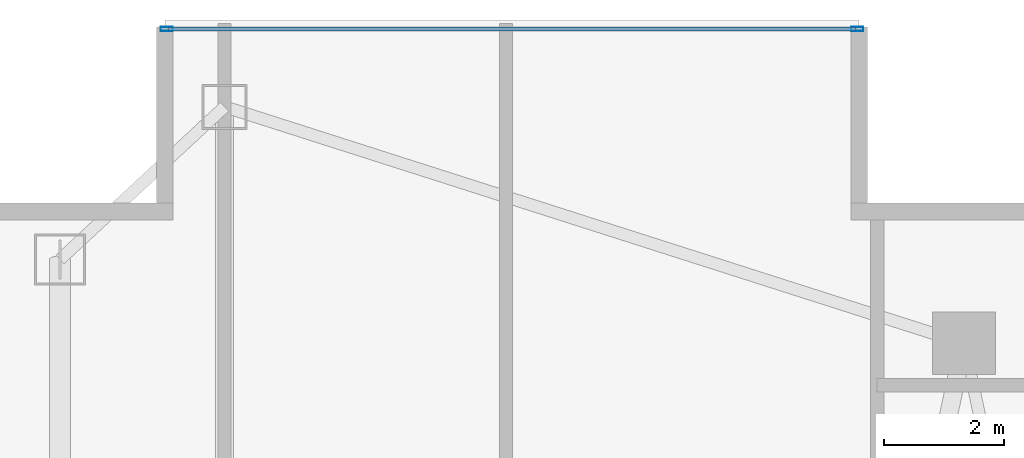
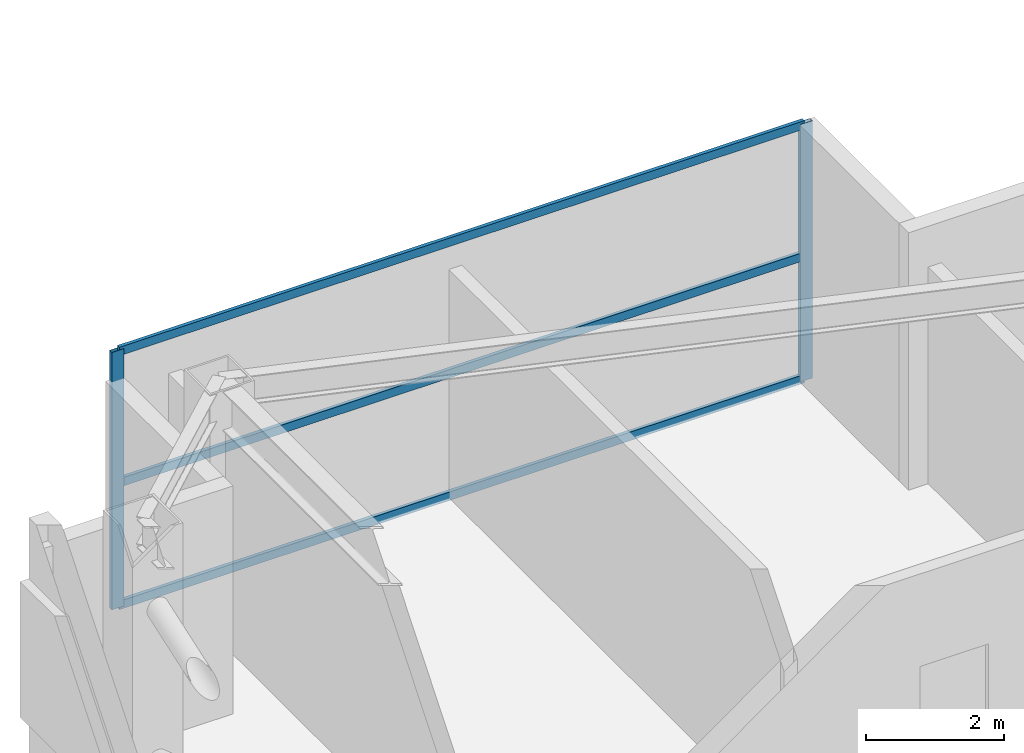
# One storey, part 9 of 19: 5 members, 1 element without a shape of its own.
"""IFC4 building model written with IfcOpenShell, lengths in metres."""

from ifc_helpers import new_model, si_unit, direction, frame, origin, origin_2d, place, context, subcontext, project, spatial, hollow_rectangle, extrude, material, layer, layer_set, material_profile, profile_set, type_object, element, aggregate, save


model = new_model("IFC4")

# Units and contexts
model_context = context("Model", 3, precision=1e-05, world=origin(), true_north=direction((0.0, 1.0)))
body_context = subcontext(model_context, "Body", "Model", "MODEL_VIEW")
ifc_project = project(units=[si_unit("LENGTHUNIT", "METRE"), si_unit("AREAUNIT", "SQUARE_METRE"), si_unit("VOLUMEUNIT", "CUBIC_METRE"), si_unit("PLANEANGLEUNIT", "RADIAN"), si_unit("MASSUNIT", "GRAM", prefix="KILO")], contexts=[model_context])

# Site, building, storey
site_placement = place(None, origin())
site = spatial("IfcSite", under=ifc_project, at=site_placement, CompositionType="ELEMENT")
building_placement = place(site_placement, origin())
building = spatial("IfcBuilding", under=site, at=building_placement, Name="Calvorn Quay Hotel", CompositionType="ELEMENT")
storey_placement = place(building_placement, frame((0.0, 0.0, 139.199951171875)))
storey = spatial("IfcBuildingStorey", under=building, at=storey_placement, Name="L34", CompositionType="ELEMENT", Elevation=139.199951171875)

# Curtain wall, members
ifc_material_1 = material(Name="Pale Anodised Aluminium and Low-E Glass", Category="aluminium")
ifc_layer = layer(ifc_material_1, 0.219970703125)
ifc_layer_set = layer_set([ifc_layer], Name="CW-SYS-Z2")
curtain_wall_type = type_object("IfcCurtainWallType", Name="CW-SYS-Z2", PredefinedType="NOTDEFINED", material=ifc_layer_set)
curtain_wall_placement = place(storey_placement, origin())
curtain_wall = element("IfcCurtainWall", 1, at=curtain_wall_placement, inside=storey, type_object=curtain_wall_type, Name="Inner Court Curtain Wall L34-N1", PredefinedType="NOTDEFINED")
ifc_material_2 = material(Name="Pale Anodised Aluminium 6063-T6", Category="aluminium")
ifc_material_profile_1 = material_profile(ifc_material_2, hollow_rectangle(XDim=0.070068359375, YDim=0.199951171875, WallThickness=0.00390625, at=origin_2d()), Name="ALU-M200x70x4")
ifc_profile_set_1 = profile_set([ifc_material_profile_1], Name="Pale Anodised Aluminium 6063-T6")
member_type_1 = type_object("IfcMemberType", Name="CW-SYS-Z2-MUL", PredefinedType="MULLION", material=ifc_profile_set_1)
member_1_placement = place(storey_placement, frame((14.77001953125, 50.85009765625, 0.0), z_axis=(0.0, 0.0, 1.0), x_axis=(0.0, -1.0, 0.0)))
member_1 = element("IfcMember", 2, at=member_1_placement, type_object=member_type_1, Name="CW-L34-N1 mullion 1", PredefinedType="MULLION", context=body_context, shape_type="SweptSolid", body=[
    extrude(hollow_rectangle(XDim=0.070068359375, YDim=0.199951171875, WallThickness=0.00390625, at=origin_2d()), origin(), (0.0, 0.0, 1.0), 4.56005859375),
])
member_2_placement = place(storey_placement, frame((3.22998046875, 50.85009765625, 0.0), z_axis=(0.0, 0.0, 1.0), x_axis=(0.0, -1.0, 0.0)))
member_2 = element("IfcMember", 3, at=member_2_placement, type_object=member_type_1, Name="CW-L34-N1 mullion 2", PredefinedType="MULLION", context=body_context, shape_type="SweptSolid", body=[
    extrude(hollow_rectangle(XDim=0.070068359375, YDim=0.199951171875, WallThickness=0.00390625, at=origin_2d()), origin(), (0.0, 0.0, 1.0), 4.56005859375),
])
ifc_material_3 = material(Name="Pale Anodised Aluminium 6063-T6", Category="aluminium")
ifc_material_profile_2 = material_profile(ifc_material_3, hollow_rectangle(XDim=0.06005859375, YDim=0.14990234375, WallThickness=0.00341796875, at=origin_2d()), Name="ALU-T150x60x3.5")
ifc_profile_set_2 = profile_set([ifc_material_profile_2], Name="Pale Anodised Aluminium 6063-T6")
member_type_2 = type_object("IfcMemberType", Name="CW-SYS-Z2-TRN", PredefinedType="USERDEFINED", material=ifc_profile_set_2)
member_3_placement = place(storey_placement, frame((14.739990234375, 50.85009765625, 0.030029296875), z_axis=(-1.0, 0.0, 0.0), x_axis=(0.0, -1.0, 0.0)))
member_3 = element("IfcMember", 4, at=member_3_placement, type_object=member_type_2, Name="CW-L34-N1 transom 1.1", ObjectType="TRANSOM", PredefinedType="USERDEFINED", context=body_context, shape_type="SweptSolid", body=[
    extrude(hollow_rectangle(XDim=0.06005859375, YDim=0.14990234375, WallThickness=0.00341796875, at=origin_2d()), origin(), (0.0, 0.0, 1.0), 11.47998046875),
])
member_4_placement = place(storey_placement, frame((14.739990234375, 50.85009765625, 2.199951171875), z_axis=(-1.0, 0.0, 0.0), x_axis=(0.0, -1.0, 0.0)))
member_4 = element("IfcMember", 5, at=member_4_placement, type_object=member_type_2, Name="CW-L34-N1 transom 1.2", ObjectType="TRANSOM", PredefinedType="USERDEFINED", context=body_context, shape_type="SweptSolid", body=[
    extrude(hollow_rectangle(XDim=0.06005859375, YDim=0.14990234375, WallThickness=0.00341796875, at=origin_2d()), origin(), (0.0, 0.0, 1.0), 11.47998046875),
])
member_5_placement = place(storey_placement, frame((14.739990234375, 50.85009765625, 4.530029296875), z_axis=(-1.0, 0.0, 0.0), x_axis=(0.0, -1.0, 0.0)))
member_5 = element("IfcMember", 6, at=member_5_placement, type_object=member_type_2, Name="CW-L34-N1 transom 1.3", ObjectType="TRANSOM", PredefinedType="USERDEFINED", context=body_context, shape_type="SweptSolid", body=[
    extrude(hollow_rectangle(XDim=0.06005859375, YDim=0.14990234375, WallThickness=0.00341796875, at=origin_2d()), origin(), (0.0, 0.0, 1.0), 11.47998046875),
])
aggregate(curtain_wall, [member_1, member_2, member_3, member_4, member_5])

save(model, "model.ifc")
